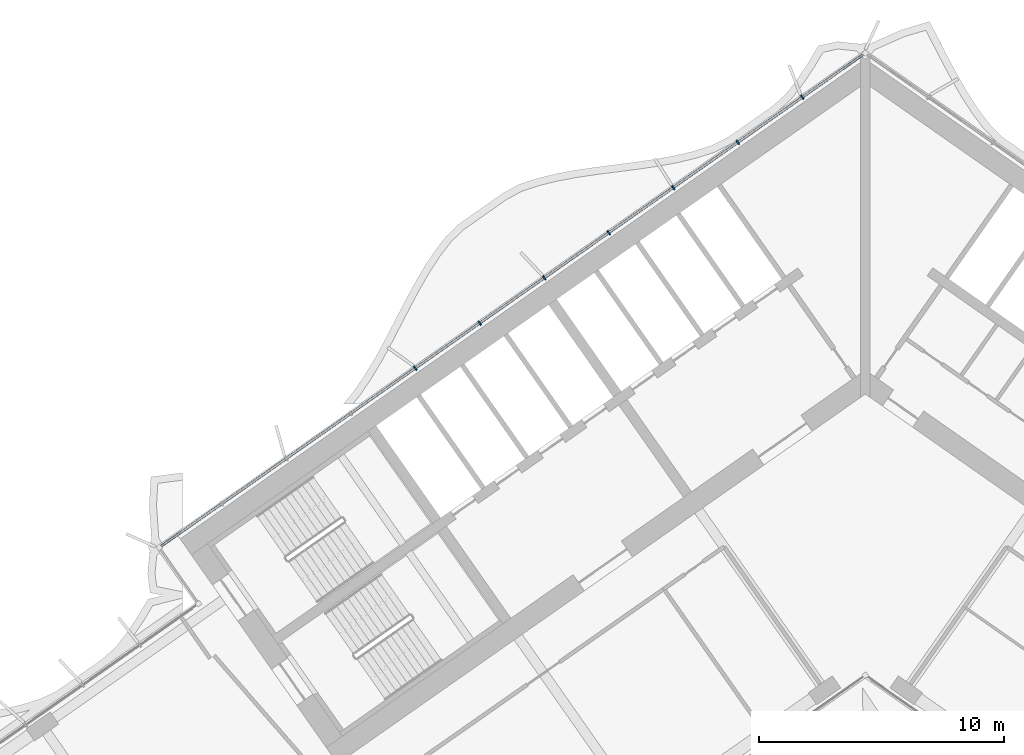
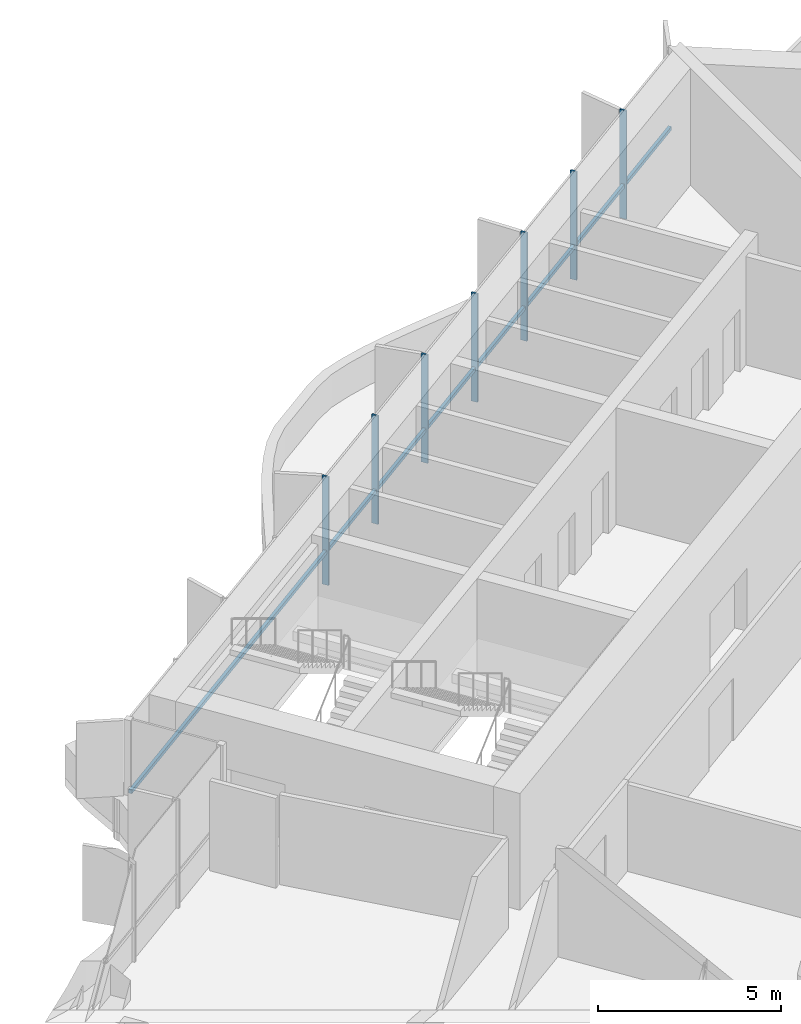
# One storey, part 7 of 21: 8 members, 1 element without a shape of its own.
"""IFC4 building model written with IfcOpenShell, lengths in metres."""

from ifc_helpers import new_model, si_unit, direction, frame, origin, origin_2d, place, context, subcontext, project, spatial, rectangle, extrude, material, material_profile, profile_set, type_object, element, aggregate, save


model = new_model("IFC4")

# Units and contexts
model_context = context("Model", 3, precision=1e-05, world=origin(), true_north=direction((0.0, 1.0)))
body_context = subcontext(model_context, "Body", "Model", "MODEL_VIEW")
ifc_project = project(units=[si_unit("LENGTHUNIT", "METRE"), si_unit("AREAUNIT", "SQUARE_METRE"), si_unit("VOLUMEUNIT", "CUBIC_METRE"), si_unit("PLANEANGLEUNIT", "RADIAN"), si_unit("MASSUNIT", "GRAM", prefix="KILO")], contexts=[model_context])

# Site, building, storey
site_placement = place(None, origin())
site = spatial("IfcSite", under=ifc_project, at=site_placement, CompositionType="ELEMENT")
building_placement = place(site_placement, origin())
building = spatial("IfcBuilding", under=site, at=building_placement, Name="Tel Ilan Convention Tower", CompositionType="ELEMENT")
storey_placement = place(building_placement, frame((0.0, 0.0, 155.39990234375)))
storey = spatial("IfcBuildingStorey", under=building, at=storey_placement, Name="L35", CompositionType="ELEMENT", Elevation=155.39990234375)

# Curtain wall, members
ifc_material_1 = material(Name="Aluminium, bronze anodised", Category="aluminium")
curtain_wall_type = type_object("IfcCurtainWallType", Name="CW2 STICK CURTAIN WALL, SPANDREL PANELS", PredefinedType="NOTDEFINED", material=ifc_material_1)
curtain_wall_placement = place(storey_placement, origin())
curtain_wall = element("IfcCurtainWall", 1, at=curtain_wall_placement, inside=storey, type_object=curtain_wall_type, Name="Curtain wall CW2-27.01", PredefinedType="NOTDEFINED")
ifc_material_2 = material(Name="Aluminium, bronze anodised", Category="aluminium")
ifc_material_profile_1 = material_profile(ifc_material_2, rectangle(XDim=0.06005859375, YDim=0.199951171875, at=origin_2d()), Name="CW MULLION 60x200")
ifc_profile_set_1 = profile_set([ifc_material_profile_1], Name="Aluminium, bronze anodised")
member_type_1 = type_object("IfcMemberType", Name="CW MULLION 60x200", PredefinedType="MULLION", material=ifc_profile_set_1)
member_1_placement = place(storey_placement, frame((-2.5751953125, 10.892822265625, 0.0), z_axis=(0.0, 0.0, 1.0), x_axis=(-0.819152044289, -0.573576436351, 0.0)))
member_1 = element("IfcMember", 2, at=member_1_placement, type_object=member_type_1, Name="Mullion", PredefinedType="MULLION", context=body_context, shape_type="SweptSolid", body=[
    extrude(rectangle(XDim=0.06005859375, YDim=0.199951171875, at=origin_2d()), origin(), (0.0, 0.0, 1.0), 3.6201171875),
])
member_2_placement = place(storey_placement, frame((-5.207763671875, 9.049560546875, 0.0), z_axis=(0.0, 0.0, 1.0), x_axis=(-0.819152044289, -0.573576436351, 0.0)))
member_2 = element("IfcMember", 3, at=member_2_placement, type_object=member_type_1, Name="Mullion", PredefinedType="MULLION", context=body_context, shape_type="SweptSolid", body=[
    extrude(rectangle(XDim=0.06005859375, YDim=0.199951171875, at=origin_2d()), origin(), (0.0, 0.0, 1.0), 3.6201171875),
])
member_3_placement = place(storey_placement, frame((-7.840576171875, 7.2060546875, 0.0), z_axis=(0.0, 0.0, 1.0), x_axis=(-0.819152044289, -0.573576436351, 0.0)))
member_3 = element("IfcMember", 4, at=member_3_placement, type_object=member_type_1, Name="Mullion", PredefinedType="MULLION", context=body_context, shape_type="SweptSolid", body=[
    extrude(rectangle(XDim=0.06005859375, YDim=0.199951171875, at=origin_2d()), origin(), (0.0, 0.0, 1.0), 3.6201171875),
])
member_4_placement = place(storey_placement, frame((-10.47314453125, 5.36279296875, 0.0), z_axis=(0.0, 0.0, 1.0), x_axis=(-0.819152044289, -0.573576436351, 0.0)))
member_4 = element("IfcMember", 5, at=member_4_placement, type_object=member_type_1, Name="Mullion", PredefinedType="MULLION", context=body_context, shape_type="SweptSolid", body=[
    extrude(rectangle(XDim=0.06005859375, YDim=0.199951171875, at=origin_2d()), origin(), (0.0, 0.0, 1.0), 3.6201171875),
])
member_5_placement = place(storey_placement, frame((-13.105712890625, 3.519287109375, 0.0), z_axis=(0.0, 0.0, 1.0), x_axis=(-0.819152044289, -0.573576436351, 0.0)))
member_5 = element("IfcMember", 6, at=member_5_placement, type_object=member_type_1, Name="Mullion", PredefinedType="MULLION", context=body_context, shape_type="SweptSolid", body=[
    extrude(rectangle(XDim=0.06005859375, YDim=0.199951171875, at=origin_2d()), origin(), (0.0, 0.0, 1.0), 3.6201171875),
])
member_6_placement = place(storey_placement, frame((-15.73828125, 1.676025390625, 0.0), z_axis=(0.0, 0.0, 1.0), x_axis=(-0.819152044289, -0.573576436351, 0.0)))
member_6 = element("IfcMember", 7, at=member_6_placement, type_object=member_type_1, Name="Mullion", PredefinedType="MULLION", context=body_context, shape_type="SweptSolid", body=[
    extrude(rectangle(XDim=0.06005859375, YDim=0.199951171875, at=origin_2d()), origin(), (0.0, 0.0, 1.0), 3.6201171875),
])
member_7_placement = place(storey_placement, frame((-18.37109375, -0.16748046875, 0.0), z_axis=(0.0, 0.0, 1.0), x_axis=(-0.819152044289, -0.573576436351, 0.0)))
member_7 = element("IfcMember", 8, at=member_7_placement, type_object=member_type_1, Name="Mullion", PredefinedType="MULLION", context=body_context, shape_type="SweptSolid", body=[
    extrude(rectangle(XDim=0.06005859375, YDim=0.199951171875, at=origin_2d()), origin(), (0.0, 0.0, 1.0), 3.6201171875),
])
ifc_material_3 = material(Name="Aluminium, bronze anodised", Category="aluminium")
ifc_material_profile_2 = material_profile(ifc_material_3, rectangle(XDim=0.10009765625, YDim=0.1201171875, at=origin_2d()), Name="CW TRANSOM 100x120")
ifc_profile_set_2 = profile_set([ifc_material_profile_2], Name="Aluminium, bronze anodised")
member_type_2 = type_object("IfcMemberType", Name="CW TRANSOM 100x120", PredefinedType="USERDEFINED", material=ifc_profile_set_2)
member_8_placement = place(storey_placement, frame((-0.1064453125, 12.62158203125, 1.10009765625), z_axis=(-0.819150201937, -0.573579067494, 0.0), x_axis=(0.573579067494, -0.819150201937, 0.0)))
member_8 = element("IfcMember", 9, at=member_8_placement, type_object=member_type_2, Name="Transom", ObjectType="TRANSOM", PredefinedType="USERDEFINED", context=body_context, shape_type="SweptSolid", body=[
    extrude(rectangle(XDim=0.10009765625, YDim=0.1201171875, at=origin_2d()), origin(), (0.0, 0.0, 1.0), 34.9521484375),
])
aggregate(curtain_wall, [member_1, member_2, member_3, member_4, member_5, member_6, member_7, member_8])

save(model, "model.ifc")
